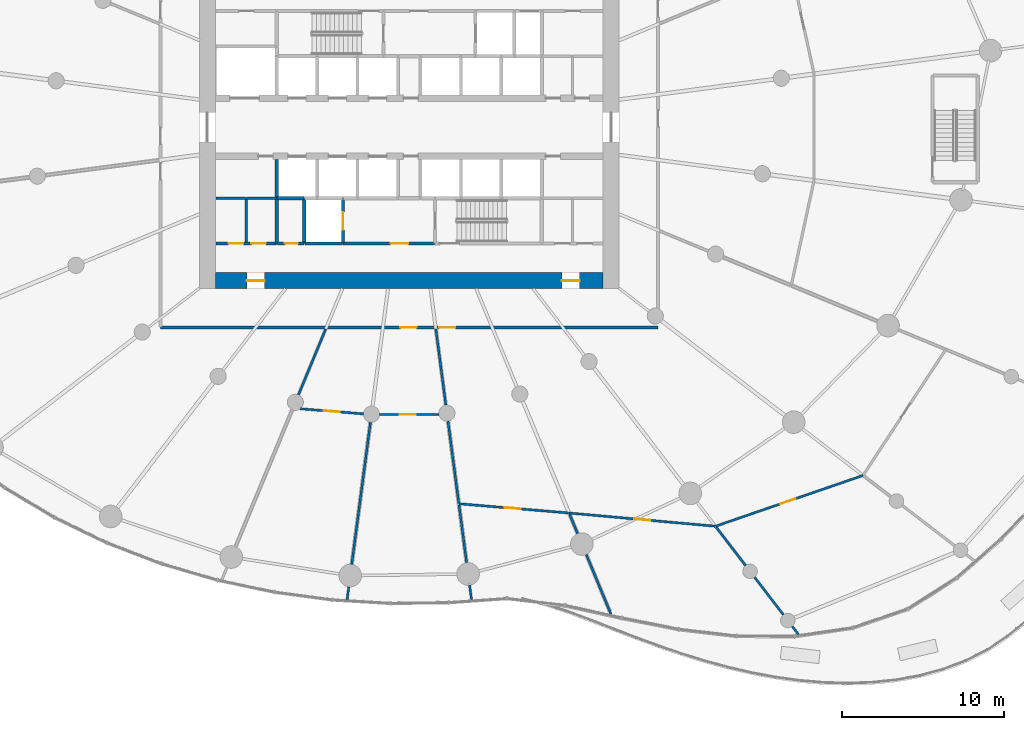
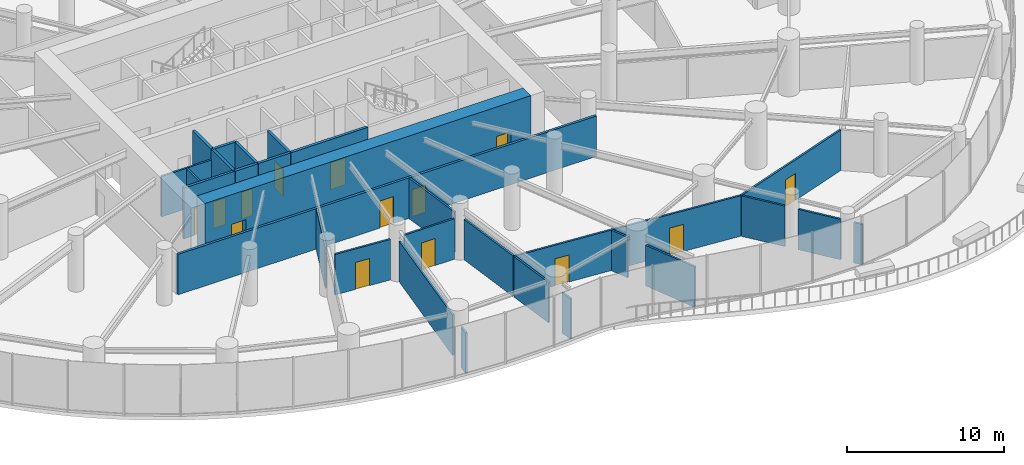
# One storey, part 12 of 21: 31 walls, 14 doors, 14 openings.
"""IFC4 building model written with IfcOpenShell, lengths in metres."""

from ifc_helpers import new_model, si_unit, direction, frame, frame_2d, origin, place, context, subcontext, project, spatial, rectangle, extrude, source, transform, mapped, material, layer, layer_set, type_object, element, fill, save


model = new_model("IFC4")

# Units and contexts
model_context = context("Model", 3, precision=1e-05, world=origin(), true_north=direction((0.0, 1.0)))
body_context = subcontext(model_context, "Body", "Model", "MODEL_VIEW")
ifc_project = project(units=[si_unit("LENGTHUNIT", "METRE"), si_unit("AREAUNIT", "SQUARE_METRE"), si_unit("VOLUMEUNIT", "CUBIC_METRE"), si_unit("PLANEANGLEUNIT", "RADIAN"), si_unit("MASSUNIT", "GRAM", prefix="KILO")], contexts=[model_context])

# Site, building, storey
site_placement = place(None, origin())
site = spatial("IfcSite", under=ifc_project, at=site_placement, CompositionType="ELEMENT")
building_placement = place(site_placement, origin())
building = spatial("IfcBuilding", under=site, at=building_placement, Name="Spindrift Exchange Tower", CompositionType="ELEMENT")
storey_placement = place(building_placement, frame((0.0, 0.0, 9.39990234375)))
storey = spatial("IfcBuildingStorey", under=building, at=storey_placement, Name="L02", CompositionType="ELEMENT", Elevation=9.39990234375)

# Wall, openings, doors
ifc_material_1 = material(Name="Concrete 80 MPa", Category="concrete")
ifc_layer_1 = layer(ifc_material_1, 1.0)
ifc_layer_set_1 = layer_set([ifc_layer_1], Name="RC Core Wall 1000 Concrete 80 MPa")
wall_type_1 = type_object("IfcWallType", Name="RC Core Wall 1000 Concrete 80 MPa", PredefinedType="SHEAR", material=ifc_layer_set_1)
wall_1_placement = place(storey_placement, frame((40.0, 38.5, 0.0), z_axis=(0.0, 0.0, 1.0), x_axis=(1.0, 0.0, 0.0)))
wall_1 = element("IfcWall", 1, at=wall_1_placement, inside=storey, type_object=wall_type_1, Name="Core wall S L02", PredefinedType="SHEAR", context=body_context, shape_type="SweptSolid", body=[
    extrude(rectangle(XDim=24.0, YDim=1.0, at=frame_2d((12.0, 0.0))), origin(), (0.0, 0.0, 1.0), 4.400146484375),
])
opening_1_placement = place(wall_1_placement, frame((21.449951171875, 0.0, 0.0)))
opening_1 = element("IfcOpeningElement", 2, at=opening_1_placement, cuts=wall_1, Name="Opening L02-D22", PredefinedType="OPENING", context=body_context, shape_type="SweptSolid", body=[
    extrude(rectangle(XDim=1.10009765625, YDim=2.10009765625, at=frame_2d((0.550048828125, 1.050048828125))), frame((0.0, 0.510009765625, 0.0), z_axis=(0.0, -1.0, 0.0), x_axis=(1.0, 0.0, 0.0)), (0.0, 0.0, 1.0), 1.02001953125),
])
opening_2_placement = place(wall_1_placement, frame((1.949951171875, 0.0, 0.0)))
opening_2 = element("IfcOpeningElement", 3, at=opening_2_placement, cuts=wall_1, Name="Opening L02-D23", PredefinedType="OPENING", context=body_context, shape_type="SweptSolid", body=[
    extrude(rectangle(XDim=1.10009765625, YDim=2.10009765625, at=frame_2d((0.550048828125, 1.050048828125))), frame((0.0, 0.510009765625, 0.0), z_axis=(0.0, -1.0, 0.0), x_axis=(1.0, 0.0, 0.0)), (0.0, 0.0, 1.0), 1.02001953125),
])
ifc_material_2 = material(Name="Steel fire door", Category="steel")
door_type_1 = type_object("IfcDoorType", Name="DR-STAIR-1100", OperationType="NOTDEFINED", PredefinedType="DOOR", material=ifc_material_2)
shared_shape_1 = source(origin(), body_context, "Body", "SweptSolid", [
    extrude(rectangle(XDim=1.10009765625, YDim=2.10009765625, at=frame_2d((0.550048828125, 1.050048828125))), frame((0.0, 0.02490234375, 0.0), z_axis=(0.0, -1.0, 0.0), x_axis=(1.0, 0.0, 0.0)), (0.0, 0.0, 1.0), 0.050048828125),
])
door_1_placement = place(opening_1_placement, origin())
door_1 = element("IfcDoor", 4, at=door_1_placement, inside=storey, type_object=door_type_1, Name="L02 Stair door 22", OperationType="SINGLE_SWING_RIGHT", OverallHeight=2.10009765625, OverallWidth=1.10009765625, PredefinedType="DOOR", context=body_context, shape_type="MappedRepresentation", body=[
    mapped(shared_shape_1, transform((0.0, 0.0, 0.0), scale=1.0)),
])
fill(opening_1, door_1)
door_2_placement = place(opening_2_placement, origin())
door_2 = element("IfcDoor", 5, at=door_2_placement, inside=storey, type_object=door_type_1, Name="L02 Stair door 23", OperationType="SINGLE_SWING_LEFT", OverallHeight=2.10009765625, OverallWidth=1.10009765625, PredefinedType="DOOR", context=body_context, shape_type="MappedRepresentation", body=[
    mapped(shared_shape_1, transform((0.0, 0.0, 0.0), scale=1.0)),
])
fill(opening_2, door_2)

ifc_material_3 = material(Name="Fire-rated plasterboard partition", Category="gypsum")
ifc_layer_2 = layer(ifc_material_3, 0.179931640625)
ifc_layer_set_2 = layer_set([ifc_layer_2], Name="W-CORR-180")
wall_type_2 = type_object("IfcWallType", Name="W-CORR-180", PredefinedType="PARTITIONING", material=ifc_layer_set_2)
wall_2_placement = place(storey_placement, frame((40.02001953125, 40.800048828125, 0.0), z_axis=(0.0, 0.0, 1.0), x_axis=(1.0, 0.0, 0.0)))
wall_2 = element("IfcWall", 6, at=wall_2_placement, inside=storey, type_object=wall_type_2, Name="L02 Partition wall 65", PredefinedType="PARTITIONING", context=body_context, shape_type="SweptSolid", body=[
    extrude(rectangle(XDim=3.75, YDim=0.179931640625, at=frame_2d((1.875, 0.0))), origin(), (0.0, 0.0, 1.0), 3.9501953125),
])
opening_3_placement = place(wall_2_placement, frame((0.800048828125, 0.0, 0.0)))
opening_3 = element("IfcOpeningElement", 7, at=opening_3_placement, cuts=wall_2, Name="Opening L02-D46", PredefinedType="OPENING", context=body_context, shape_type="SweptSolid", body=[
    extrude(rectangle(XDim=0.89990234375, YDim=2.10009765625, at=frame_2d((0.449951171875, 1.050048828125))), frame((0.0, 0.099853515625, 0.0), z_axis=(0.0, -1.0, 0.0), x_axis=(1.0, 0.0, 0.0)), (0.0, 0.0, 1.0), 0.199951171875),
])
opening_4_placement = place(wall_2_placement, frame((2.199951171875, 0.0, 0.0)))
opening_4 = element("IfcOpeningElement", 8, at=opening_4_placement, cuts=wall_2, Name="Opening L02-D47", PredefinedType="OPENING", context=body_context, shape_type="SweptSolid", body=[
    extrude(rectangle(XDim=0.89990234375, YDim=2.10009765625, at=frame_2d((0.449951171875, 1.050048828125))), frame((0.0, 0.099853515625, 0.0), z_axis=(0.0, -1.0, 0.0), x_axis=(1.0, 0.0, 0.0)), (0.0, 0.0, 1.0), 0.199951171875),
])
ifc_material_4 = material(Name="Steel access door", Category="steel")
door_type_2 = type_object("IfcDoorType", Name="DR-RISER-900", OperationType="NOTDEFINED", PredefinedType="DOOR", material=ifc_material_4)
shared_shape_2 = source(origin(), body_context, "Body", "SweptSolid", [
    extrude(rectangle(XDim=0.89990234375, YDim=2.10009765625, at=frame_2d((0.449951171875, 1.050048828125))), frame((0.0, 0.02490234375, 0.0), z_axis=(0.0, -1.0, 0.0), x_axis=(1.0, 0.0, 0.0)), (0.0, 0.0, 1.0), 0.050048828125),
])
door_3_placement = place(opening_3_placement, origin())
door_3 = element("IfcDoor", 9, at=door_3_placement, inside=storey, type_object=door_type_2, Name="L02 Riser door 46", OperationType="SINGLE_SWING_RIGHT", OverallHeight=2.10009765625, OverallWidth=0.89990234375, PredefinedType="DOOR", context=body_context, shape_type="MappedRepresentation", body=[
    mapped(shared_shape_2, transform((0.0, 0.0, 0.0), scale=1.0)),
])
fill(opening_3, door_3)
door_4_placement = place(opening_4_placement, origin())
door_4 = element("IfcDoor", 10, at=door_4_placement, inside=storey, type_object=door_type_2, Name="L02 Riser door 47", OperationType="SINGLE_SWING_LEFT", OverallHeight=2.10009765625, OverallWidth=0.89990234375, PredefinedType="DOOR", context=body_context, shape_type="MappedRepresentation", body=[
    mapped(shared_shape_2, transform((0.0, 0.0, 0.0), scale=1.0)),
])
fill(opening_4, door_4)

# Wall
ifc_layer_3 = layer(ifc_material_3, 0.139892578125)
ifc_layer_set_3 = layer_set([ifc_layer_3], Name="W-PART-140")
wall_type_3 = type_object("IfcWallType", Name="W-PART-140", PredefinedType="PARTITIONING", material=ifc_layer_set_3)
wall_3_placement = place(storey_placement, frame((62.960205078125, 21.5400390625, 0.0), z_axis=(0.0, 0.0, 1.0), x_axis=(0.382661550363, -0.92388859603, 0.0)))
element("IfcWall", 11, at=wall_3_placement, inside=storey, type_object=wall_type_3, Name="L02 Partition wall 100", PredefinedType="PARTITIONING", context=body_context, shape_type="SweptSolid", body=[
    extrude(rectangle(XDim=3.9677734375, YDim=0.139892578125, at=frame_2d((1.98388671875, 0.0))), origin(), (0.0, 0.0, 1.0), 3.150146484375),
])

# Wall, opening, door
wall_4_placement = place(storey_placement, frame((49.15673828125, 30.251953125, 0.0), z_axis=(0.0, 0.0, 1.0), x_axis=(-0.996710154567, 0.081048552007, 0.0)))
wall_4 = element("IfcWall", 12, at=wall_4_placement, inside=storey, type_object=wall_type_3, Name="L02 Partition wall 102", PredefinedType="PARTITIONING", context=body_context, shape_type="SweptSolid", body=[
    extrude(rectangle(XDim=3.916015625, YDim=0.139892578125, at=frame_2d((1.9580078125, 0.0))), origin(), (0.0, 0.0, 1.0), 3.150146484375),
])
opening_5_placement = place(wall_4_placement, frame((1.466064453125, 0.0, 0.0)))
opening_5 = element("IfcOpeningElement", 13, at=opening_5_placement, cuts=wall_4, Name="Opening L02-D37", PredefinedType="OPENING", context=body_context, shape_type="SweptSolid", body=[
    extrude(rectangle(XDim=1.0, YDim=2.10009765625, at=frame_2d((0.5, 1.050048828125))), frame((0.0, 0.079833984375, 0.0), z_axis=(0.0, -1.0, 0.0), x_axis=(1.0, 0.0, 0.0)), (0.0, 0.0, 1.0), 0.159912109375),
])
ifc_material_5 = material(Name="Timber-core fire door", Category="wood")
door_type_3 = type_object("IfcDoorType", Name="DR-ROOM-1000", OperationType="NOTDEFINED", PredefinedType="DOOR", material=ifc_material_5)
shared_shape_3 = source(origin(), body_context, "Body", "SweptSolid", [
    extrude(rectangle(XDim=1.0, YDim=2.10009765625, at=frame_2d((0.5, 1.050048828125))), frame((0.0, 0.02490234375, 0.0), z_axis=(0.0, -1.0, 0.0), x_axis=(1.0, 0.0, 0.0)), (0.0, 0.0, 1.0), 0.050048828125),
])
door_5_placement = place(opening_5_placement, origin())
door_5 = element("IfcDoor", 14, at=door_5_placement, inside=storey, type_object=door_type_3, Name="L02 Door 37", OperationType="SINGLE_SWING_LEFT", OverallHeight=2.10009765625, OverallWidth=1.0, PredefinedType="DOOR", context=body_context, shape_type="MappedRepresentation", body=[
    mapped(shared_shape_3, transform((0.0, 0.0, 0.0), scale=1.0)),
])
fill(opening_5, door_5)

# Walls
wall_5_placement = place(storey_placement, frame((41.89990234375, 40.889892578125, 0.0), z_axis=(0.0, 0.0, 1.0), x_axis=(0.0, 1.0, 0.0)))
element("IfcWall", 15, at=wall_5_placement, inside=storey, type_object=wall_type_3, Name="L02 Partition wall 113", PredefinedType="PARTITIONING", context=body_context, shape_type="SweptSolid", body=[
    extrude(rectangle(XDim=2.710205078125, YDim=0.139892578125, at=frame_2d((1.35498046875, 0.0))), origin(), (0.0, 0.0, 1.0), 3.150146484375),
])
wall_6_placement = place(storey_placement, frame((43.77001953125, 43.60009765625, 0.0), z_axis=(0.0, 0.0, 1.0), x_axis=(-1.0, 0.0, 0.0)))
element("IfcWall", 16, at=wall_6_placement, inside=storey, type_object=wall_type_3, Name="L02 Partition wall 122", PredefinedType="PARTITIONING", context=body_context, shape_type="SweptSolid", body=[
    extrude(rectangle(XDim=1.840087890625, YDim=0.139892578125, at=frame_2d((0.919921875, 0.0))), origin(), (0.0, 0.0, 1.0), 3.150146484375),
])
wall_7_placement = place(storey_placement, frame((41.8701171875, 43.60009765625, 0.0), z_axis=(0.0, 0.0, 1.0), x_axis=(-1.0, 0.0, 0.0)))
element("IfcWall", 17, at=wall_7_placement, inside=storey, type_object=wall_type_3, Name="L02 Partition wall 125", PredefinedType="PARTITIONING", context=body_context, shape_type="SweptSolid", body=[
    extrude(rectangle(XDim=1.85009765625, YDim=0.139892578125, at=frame_2d((0.925048828125, 0.0))), origin(), (0.0, 0.0, 1.0), 3.150146484375),
])
wall_8_placement = place(storey_placement, frame((61.92431640625, 24.040771484375, 0.0), z_axis=(0.0, 0.0, 1.0), x_axis=(0.382595690084, -0.923915871673, 0.0)))
element("IfcWall", 18, at=wall_8_placement, inside=storey, type_object=wall_type_3, Name="L02 Partition wall 128", PredefinedType="PARTITIONING", context=body_context, shape_type="SweptSolid", body=[
    extrude(rectangle(XDim=1.296630859375, YDim=0.139892578125, at=frame_2d((0.6484375, 0.0))), origin(), (0.0, 0.0, 1.0), 3.150146484375),
])

# Wall, opening, door
ifc_layer_4 = layer(ifc_material_3, 0.139892578125)
ifc_layer_set_4 = layer_set([ifc_layer_4], Name="W-PLANT-140")
wall_type_4 = type_object("IfcWallType", Name="W-PLANT-140", PredefinedType="PARTITIONING", material=ifc_layer_set_4)
wall_9_placement = place(storey_placement, frame((80.096923828125, 26.4404296875, 0.0), z_axis=(0.0, 0.0, 1.0), x_axis=(-0.945541154245, -0.325502573922, 0.0)))
wall_9 = element("IfcWall", 19, at=wall_9_placement, inside=storey, type_object=wall_type_4, Name="L02 Partition wall 72", PredefinedType="PARTITIONING", context=body_context, shape_type="SweptSolid", body=[
    extrude(rectangle(XDim=9.665771484375, YDim=0.139892578125, at=frame_2d((4.8330078125, 0.0))), origin(), (0.0, 0.0, 1.0), 3.150146484375),
])
opening_6_placement = place(wall_9_placement, frame((4.416015625, 0.0, 0.0)))
opening_6 = element("IfcOpeningElement", 20, at=opening_6_placement, cuts=wall_9, Name="Opening L02-D42", PredefinedType="OPENING", context=body_context, shape_type="SweptSolid", body=[
    extrude(rectangle(XDim=1.0, YDim=2.10009765625, at=frame_2d((0.5, 1.050048828125))), frame((0.0, 0.079833984375, 0.0), z_axis=(0.0, -1.0, 0.0), x_axis=(1.0, 0.0, 0.0)), (0.0, 0.0, 1.0), 0.159912109375),
])
door_6_placement = place(opening_6_placement, origin())
door_6 = element("IfcDoor", 21, at=door_6_placement, inside=storey, type_object=door_type_3, Name="L02 Door 42", OperationType="SINGLE_SWING_RIGHT", OverallHeight=2.10009765625, OverallWidth=1.0, PredefinedType="DOOR", context=body_context, shape_type="MappedRepresentation", body=[
    mapped(shared_shape_3, transform((0.0, 0.0, 0.0), scale=1.0)),
])
fill(opening_6, door_6)

wall_10_placement = place(storey_placement, frame((70.927490234375, 23.297119140625, 0.0), z_axis=(0.0, 0.0, 1.0), x_axis=(-0.995938530205, 0.090035793182, 0.0)))
wall_10 = element("IfcWall", 22, at=wall_10_placement, inside=storey, type_object=wall_type_4, Name="L02 Partition wall 75", PredefinedType="PARTITIONING", context=body_context, shape_type="SweptSolid", body=[
    extrude(rectangle(XDim=9.0703125, YDim=0.139892578125, at=frame_2d((4.53515625, 0.0))), origin(), (0.0, 0.0, 1.0), 3.150146484375),
])
opening_7_placement = place(wall_10_placement, frame((4.0205078125, 0.0, 0.0)))
opening_7 = element("IfcOpeningElement", 23, at=opening_7_placement, cuts=wall_10, Name="Opening L02-D41", PredefinedType="OPENING", context=body_context, shape_type="SweptSolid", body=[
    extrude(rectangle(XDim=1.0, YDim=2.10009765625, at=frame_2d((0.5, 1.050048828125))), frame((0.0, 0.079833984375, 0.0), z_axis=(0.0, -1.0, 0.0), x_axis=(1.0, 0.0, 0.0)), (0.0, 0.0, 1.0), 0.159912109375),
])
door_7_placement = place(opening_7_placement, origin())
door_7 = element("IfcDoor", 24, at=door_7_placement, inside=storey, type_object=door_type_3, Name="L02 Door 41", OperationType="SINGLE_SWING_LEFT", OverallHeight=2.10009765625, OverallWidth=1.0, PredefinedType="DOOR", context=body_context, shape_type="MappedRepresentation", body=[
    mapped(shared_shape_3, transform((0.0, 0.0, 0.0), scale=1.0)),
])
fill(opening_7, door_7)

# Wall
wall_11_placement = place(storey_placement, frame((49.594970703125, 29.732666015625, 0.0), z_axis=(0.0, 0.0, 1.0), x_axis=(-0.130521426482, -0.991445488783, 0.0)))
element("IfcWall", 25, at=wall_11_placement, inside=storey, type_object=wall_type_4, Name="L02 Partition wall 77", PredefinedType="PARTITIONING", context=body_context, shape_type="SweptSolid", body=[
    extrude(rectangle(XDim=8.871826171875, YDim=0.139892578125, at=frame_2d((4.43603515625, 0.0))), origin(), (0.0, 0.0, 1.0), 3.150146484375),
])

# Wall, opening, door
wall_12_placement = place(storey_placement, frame((61.864013671875, 24.1162109375, 0.0), z_axis=(0.0, 0.0, 1.0), x_axis=(-0.996481261198, 0.083815846237, 0.0)))
wall_12 = element("IfcWall", 26, at=wall_12_placement, inside=storey, type_object=wall_type_4, Name="L02 Partition wall 83", PredefinedType="PARTITIONING", context=body_context, shape_type="SweptSolid", body=[
    extrude(rectangle(XDim=6.81884765625, YDim=0.139892578125, at=frame_2d((3.409423828125, 0.0))), origin(), (0.0, 0.0, 1.0), 3.150146484375),
])
opening_8_placement = place(wall_12_placement, frame((2.968994140625, 0.0, 0.0)))
opening_8 = element("IfcOpeningElement", 27, at=opening_8_placement, cuts=wall_12, Name="Opening L02-D40", PredefinedType="OPENING", context=body_context, shape_type="SweptSolid", body=[
    extrude(rectangle(XDim=1.0, YDim=2.10009765625, at=frame_2d((0.5, 1.050048828125))), frame((0.0, 0.079833984375, 0.0), z_axis=(0.0, -1.0, 0.0), x_axis=(1.0, 0.0, 0.0)), (0.0, 0.0, 1.0), 0.159912109375),
])
door_8_placement = place(opening_8_placement, origin())
door_8 = element("IfcDoor", 28, at=door_8_placement, inside=storey, type_object=door_type_3, Name="L02 Door 40", OperationType="SINGLE_SWING_RIGHT", OverallHeight=2.10009765625, OverallWidth=1.0, PredefinedType="DOOR", context=body_context, shape_type="MappedRepresentation", body=[
    mapped(shared_shape_3, transform((0.0, 0.0, 0.0), scale=1.0)),
])
fill(opening_8, door_8)

# Walls
wall_13_placement = place(storey_placement, frame((54.396484375, 29.796630859375, 0.0), z_axis=(0.0, 0.0, 1.0), x_axis=(0.130530944133, -0.991444235761, 0.0)))
element("IfcWall", 29, at=wall_13_placement, inside=storey, type_object=wall_type_4, Name="L02 Partition wall 90", PredefinedType="PARTITIONING", context=body_context, shape_type="SweptSolid", body=[
    extrude(rectangle(XDim=5.123046875, YDim=0.139892578125, at=frame_2d((2.5615234375, 0.0))), origin(), (0.0, 0.0, 1.0), 3.150146484375),
])
wall_14_placement = place(storey_placement, frame((53.644287109375, 35.510009765625, 0.0), z_axis=(0.0, 0.0, 1.0), x_axis=(0.130548834981, -0.991441880135, 0.0)))
element("IfcWall", 30, at=wall_14_placement, inside=storey, type_object=wall_type_4, Name="L02 Partition wall 93", PredefinedType="PARTITIONING", context=body_context, shape_type="SweptSolid", body=[
    extrude(rectangle(XDim=4.75390625, YDim=0.139892578125, at=frame_2d((2.376953125, 0.0))), origin(), (0.0, 0.0, 1.0), 3.150146484375),
])
wall_15_placement = place(storey_placement, frame((46.826416015625, 35.510009765625, 0.0), z_axis=(0.0, 0.0, 1.0), x_axis=(-0.382672831764, -0.923883923353, 0.0)))
element("IfcWall", 31, at=wall_15_placement, inside=storey, type_object=wall_type_4, Name="L02 Partition wall 95", PredefinedType="PARTITIONING", context=body_context, shape_type="SweptSolid", body=[
    extrude(rectangle(XDim=4.410400390625, YDim=0.139892578125, at=frame_2d((2.205078125, 0.0))), origin(), (0.0, 0.0, 1.0), 3.150146484375),
])
wall_16_placement = place(storey_placement, frame((55.07861328125, 24.61669921875, 0.0), z_axis=(0.0, 0.0, 1.0), x_axis=(0.130498239391, -0.991448541033, 0.0)))
element("IfcWall", 32, at=wall_16_placement, inside=storey, type_object=wall_type_4, Name="L02 Partition wall 103", PredefinedType="PARTITIONING", context=body_context, shape_type="SweptSolid", body=[
    extrude(rectangle(XDim=3.610595703125, YDim=0.139892578125, at=frame_2d((1.80517578125, 0.0))), origin(), (0.0, 0.0, 1.0), 3.150146484375),
])

# Wall, opening, door
wall_17_placement = place(storey_placement, frame((53.83349609375, 30.211181640625, 0.0), z_axis=(0.0, 0.0, 1.0), x_axis=(-1.0, 0.0, 0.0)))
wall_17 = element("IfcWall", 33, at=wall_17_placement, inside=storey, type_object=wall_type_4, Name="L02 Partition wall 104", PredefinedType="PARTITIONING", context=body_context, shape_type="SweptSolid", body=[
    extrude(rectangle(XDim=3.668701171875, YDim=0.139892578125, at=frame_2d((1.83447265625, 0.0))), origin(), (0.0, 0.0, 1.0), 3.150146484375),
])
opening_9_placement = place(wall_17_placement, frame((1.418701171875, 0.0, 0.0)))
opening_9 = element("IfcOpeningElement", 34, at=opening_9_placement, cuts=wall_17, Name="Opening L02-D38", PredefinedType="OPENING", context=body_context, shape_type="SweptSolid", body=[
    extrude(rectangle(XDim=1.0, YDim=2.10009765625, at=frame_2d((0.5, 1.050048828125))), frame((0.0, 0.079833984375, 0.0), z_axis=(0.0, -1.0, 0.0), x_axis=(1.0, 0.0, 0.0)), (0.0, 0.0, 1.0), 0.159912109375),
])
door_9_placement = place(opening_9_placement, origin())
door_9 = element("IfcDoor", 35, at=door_9_placement, inside=storey, type_object=door_type_3, Name="L02 Door 38", OperationType="SINGLE_SWING_RIGHT", OverallHeight=2.10009765625, OverallWidth=1.0, PredefinedType="DOOR", context=body_context, shape_type="MappedRepresentation", body=[
    mapped(shared_shape_3, transform((0.0, 0.0, 0.0), scale=1.0)),
])
fill(opening_9, door_9)

# Walls
wall_18_placement = place(storey_placement, frame((71.002197265625, 23.235595703125, 0.0), z_axis=(0.0, 0.0, 1.0), x_axis=(0.608806836057, -0.793318496173, 0.0)))
element("IfcWall", 36, at=wall_18_placement, inside=storey, type_object=wall_type_4, Name="L02 Partition wall 110", PredefinedType="PARTITIONING", context=body_context, shape_type="SweptSolid", body=[
    extrude(rectangle(XDim=2.990478515625, YDim=0.139892578125, at=frame_2d((1.4951171875, 0.0))), origin(), (0.0, 0.0, 1.0), 3.150146484375),
])
wall_19_placement = place(storey_placement, frame((73.376220703125, 20.14208984375, 0.0), z_axis=(0.0, 0.0, 1.0), x_axis=(0.608763898154, -0.793351445643, 0.0)))
element("IfcWall", 37, at=wall_19_placement, inside=storey, type_object=wall_type_4, Name="L02 Partition wall 111", PredefinedType="PARTITIONING", context=body_context, shape_type="SweptSolid", body=[
    extrude(rectangle(XDim=2.9296875, YDim=0.139892578125, at=frame_2d((1.46484375, 0.0))), origin(), (0.0, 0.0, 1.0), 3.150146484375),
])
wall_20_placement = place(storey_placement, frame((55.733642578125, 19.640380859375, 0.0), z_axis=(0.0, 0.0, 1.0), x_axis=(0.13059675412, -0.991435569169, 0.0)))
element("IfcWall", 38, at=wall_20_placement, inside=storey, type_object=wall_type_4, Name="L02 Partition wall 130", PredefinedType="PARTITIONING", context=body_context, shape_type="SweptSolid", body=[
    extrude(rectangle(XDim=0.887939453125, YDim=0.139892578125, at=frame_2d((0.44384765625, 0.0))), origin(), (0.0, 0.0, 1.0), 3.150146484375),
])
wall_21_placement = place(storey_placement, frame((48.253173828125, 19.540283203125, 0.0), z_axis=(0.0, 0.0, 1.0), x_axis=(-0.130598952658, -0.991435279564, 0.0)))
element("IfcWall", 39, at=wall_21_placement, inside=storey, type_object=wall_type_4, Name="L02 Partition wall 133", PredefinedType="PARTITIONING", context=body_context, shape_type="SweptSolid", body=[
    extrude(rectangle(XDim=0.787109375, YDim=0.139892578125, at=frame_2d((0.3935546875, 0.0))), origin(), (0.0, 0.0, 1.0), 3.150146484375),
])
wall_22_placement = place(storey_placement, frame((75.712890625, 17.0966796875, 0.0), z_axis=(0.0, 0.0, 1.0), x_axis=(0.608865317956, -0.79327361269, 0.0)))
element("IfcWall", 40, at=wall_22_placement, inside=storey, type_object=wall_type_4, Name="L02 Partition wall 138", PredefinedType="PARTITIONING", context=body_context, shape_type="SweptSolid", body=[
    extrude(rectangle(XDim=0.6142578125, YDim=0.139892578125, at=frame_2d((0.30712890625, 0.0))), origin(), (0.0, 0.0, 1.0), 3.150146484375),
])

# Wall, openings, doors
ifc_layer_5 = layer(ifc_material_3, 0.179931640625)
ifc_layer_set_5 = layer_set([ifc_layer_5], Name="W-PLANT-180")
wall_type_5 = type_object("IfcWallType", Name="W-PLANT-180", PredefinedType="PARTITIONING", material=ifc_layer_set_5)
wall_23_placement = place(storey_placement, frame((67.39990234375, 35.60009765625, 0.0), z_axis=(0.0, 0.0, 1.0), x_axis=(-1.0, 0.0, 0.0)))
wall_23 = element("IfcWall", 41, at=wall_23_placement, inside=storey, type_object=wall_type_5, Name="L02 Partition wall 61", PredefinedType="PARTITIONING", context=body_context, shape_type="SweptSolid", body=[
    extrude(rectangle(XDim=30.7998046875, YDim=0.179931640625, at=frame_2d((15.39990234375, 0.0))), origin(), (0.0, 0.0, 1.0), 3.150146484375),
])
opening_10_placement = place(wall_23_placement, frame((14.949951171875, 0.0, 0.0)))
opening_10 = element("IfcOpeningElement", 42, at=opening_10_placement, cuts=wall_23, Name="Opening L02-D36", PredefinedType="OPENING", context=body_context, shape_type="SweptSolid", body=[
    extrude(rectangle(XDim=1.0, YDim=2.10009765625, at=frame_2d((0.5, 1.050048828125))), frame((0.0, 0.099853515625, 0.0), z_axis=(0.0, -1.0, 0.0), x_axis=(1.0, 0.0, 0.0)), (0.0, 0.0, 1.0), 0.199951171875),
])
opening_11_placement = place(wall_23_placement, frame((12.550048828125, 0.0, 0.0)))
opening_11 = element("IfcOpeningElement", 43, at=opening_11_placement, cuts=wall_23, Name="Opening L02-D39", PredefinedType="OPENING", context=body_context, shape_type="SweptSolid", body=[
    extrude(rectangle(XDim=1.0, YDim=2.10009765625, at=frame_2d((0.5, 1.050048828125))), frame((0.0, 0.099853515625, 0.0), z_axis=(0.0, -1.0, 0.0), x_axis=(1.0, 0.0, 0.0)), (0.0, 0.0, 1.0), 0.199951171875),
])
door_10_placement = place(opening_10_placement, origin())
door_10 = element("IfcDoor", 44, at=door_10_placement, inside=storey, type_object=door_type_3, Name="L02 Door 36", OperationType="SINGLE_SWING_RIGHT", OverallHeight=2.10009765625, OverallWidth=1.0, PredefinedType="DOOR", context=body_context, shape_type="MappedRepresentation", body=[
    mapped(shared_shape_3, transform((0.0, 0.0, 0.0), scale=1.0)),
])
fill(opening_10, door_10)
door_11_placement = place(opening_11_placement, origin())
door_11 = element("IfcDoor", 45, at=door_11_placement, inside=storey, type_object=door_type_3, Name="L02 Door 39", OperationType="SINGLE_SWING_LEFT", OverallHeight=2.10009765625, OverallWidth=1.0, PredefinedType="DOOR", context=body_context, shape_type="MappedRepresentation", body=[
    mapped(shared_shape_3, transform((0.0, 0.0, 0.0), scale=1.0)),
])
fill(opening_11, door_11)

# Walls
ifc_material_6 = material(Name="Concrete 40 MPa", Category="concrete")
ifc_layer_6 = layer(ifc_material_6, 0.199951171875)
ifc_layer_set_6 = layer_set([ifc_layer_6], Name="W-SHAFT-200")
wall_type_6 = type_object("IfcWallType", Name="W-SHAFT-200", PredefinedType="SOLIDWALL", material=ifc_layer_set_6)
for number, where, z_axis, x_axis, name in (
    (46, (43.800048828125, 43.60009765625, 0.0), (0.0, 0.0, 1.0), (0.0, -1.0, 0.0), "L02 Shaft wall 8"),
    (47, (45.5, 43.60009765625, 0.0), (0.0, 0.0, 1.0), (0.0, -1.0, 0.0), "L02 Shaft wall 9"),
):
    element("IfcWall", number, at=place(storey_placement, frame(where, z_axis=z_axis, x_axis=x_axis)), inside=storey, type_object=wall_type_6, Name=name, PredefinedType="SOLIDWALL", context=body_context, shape_type="SweptSolid", body=[
        extrude(rectangle(XDim=2.800048828125, YDim=0.199951171875, at=frame_2d((1.39990234375, 0.0))), origin(), (0.0, 0.0, 1.0), 3.9501953125),
    ])

# Wall, opening, door
wall_24_placement = place(storey_placement, frame((47.89990234375, 40.830078125, 0.0), z_axis=(0.0, 0.0, 1.0), x_axis=(0.0, 1.0, 0.0)))
wall_24 = element("IfcWall", 48, at=wall_24_placement, inside=storey, type_object=wall_type_6, Name="L02 Shaft wall 10", PredefinedType="SOLIDWALL", context=body_context, shape_type="SweptSolid", body=[
    extrude(rectangle(XDim=2.77001953125, YDim=0.199951171875, at=frame_2d((1.385009765625, 0.0))), origin(), (0.0, 0.0, 1.0), 3.9501953125),
])
opening_12_placement = place(wall_24_placement, frame((0.820068359375, 0.0, 0.0)))
opening_12 = element("IfcOpeningElement", 49, at=opening_12_placement, cuts=wall_24, Name="Opening L02-D10", PredefinedType="OPENING", context=body_context, shape_type="SweptSolid", body=[
    extrude(rectangle(XDim=1.10009765625, YDim=2.10009765625, at=frame_2d((0.550048828125, 1.050048828125))), frame((0.0, 0.10986328125, 0.0), z_axis=(0.0, -1.0, 0.0), x_axis=(1.0, 0.0, 0.0)), (0.0, 0.0, 1.0), 0.219970703125),
])
ifc_material_7 = material(Name="Stainless steel landing door", Category="steel")
door_type_4 = type_object("IfcDoorType", Name="DR-LANDING-1100-SL", OperationType="DOUBLE_DOOR_SLIDING", PredefinedType="USERDEFINED", material=ifc_material_7)
shared_shape_4 = source(origin(), body_context, "Body", "SweptSolid", [
    extrude(rectangle(XDim=1.10009765625, YDim=2.10009765625, at=frame_2d((0.550048828125, 1.050048828125))), frame((0.0, 0.02490234375, 0.0), z_axis=(0.0, -1.0, 0.0), x_axis=(1.0, 0.0, 0.0)), (0.0, 0.0, 1.0), 0.050048828125),
])
door_12_placement = place(opening_12_placement, origin())
door_12 = element("IfcDoor", 50, at=door_12_placement, inside=storey, type_object=door_type_4, Name="L02 Lift landing door 10", ObjectType="LANDING DOOR", OperationType="DOUBLE_DOOR_SLIDING", OverallHeight=2.10009765625, OverallWidth=1.10009765625, PredefinedType="USERDEFINED", context=body_context, shape_type="MappedRepresentation", body=[
    mapped(shared_shape_4, transform((0.0, 0.0, 0.0), scale=1.0)),
])
fill(opening_12, door_12)

# Walls
wall_25_placement = place(storey_placement, frame((45.530029296875, 40.800048828125, 0.0), z_axis=(0.0, 0.0, 1.0), x_axis=(1.0, 0.0, 0.0)))
element("IfcWall", 51, at=wall_25_placement, inside=storey, type_object=wall_type_6, Name="L02 Shaft wall 25", PredefinedType="SOLIDWALL", context=body_context, shape_type="SweptSolid", body=[
    extrude(rectangle(XDim=2.340087890625, YDim=0.199951171875, at=frame_2d((1.169921875, 0.0))), origin(), (0.0, 0.0, 1.0), 3.9501953125),
])
wall_26_placement = place(storey_placement, frame((43.800048828125, 45.989990234375, 0.0), z_axis=(0.0, 0.0, 1.0), x_axis=(0.0, -1.0, 0.0)))
element("IfcWall", 52, at=wall_26_placement, inside=storey, type_object=wall_type_6, Name="L02 Shaft wall 27", PredefinedType="SOLIDWALL", context=body_context, shape_type="SweptSolid", body=[
    extrude(rectangle(XDim=2.360107421875, YDim=0.199951171875, at=frame_2d((1.18017578125, 0.0))), origin(), (0.0, 0.0, 1.0), 3.9501953125),
])
wall_27_placement = place(storey_placement, frame((43.830078125, 43.60009765625, 0.0), z_axis=(0.0, 0.0, 1.0), x_axis=(1.0, 0.0, 0.0)))
element("IfcWall", 53, at=wall_27_placement, inside=storey, type_object=wall_type_6, Name="L02 Shaft wall 44", PredefinedType="SOLIDWALL", context=body_context, shape_type="SweptSolid", body=[
    extrude(rectangle(XDim=1.639892578125, YDim=0.199951171875, at=frame_2d((0.81982421875, 0.0))), origin(), (0.0, 0.0, 1.0), 3.9501953125),
])

# Wall, opening, door
wall_28_placement = place(storey_placement, frame((43.830078125, 40.800048828125, 0.0), z_axis=(0.0, 0.0, 1.0), x_axis=(1.0, 0.0, 0.0)))
wall_28 = element("IfcWall", 54, at=wall_28_placement, inside=storey, type_object=wall_type_6, Name="L02 Shaft wall 45", PredefinedType="SOLIDWALL", context=body_context, shape_type="SweptSolid", body=[
    extrude(rectangle(XDim=1.639892578125, YDim=0.199951171875, at=frame_2d((0.81982421875, 0.0))), origin(), (0.0, 0.0, 1.0), 3.9501953125),
])
opening_13_placement = place(wall_28_placement, frame((0.469970703125, 0.0, 0.0)))
opening_13 = element("IfcOpeningElement", 55, at=opening_13_placement, cuts=wall_28, Name="Opening L02-D19", PredefinedType="OPENING", context=body_context, shape_type="SweptSolid", body=[
    extrude(rectangle(XDim=0.800048828125, YDim=2.10009765625, at=frame_2d((0.39990234375, 1.050048828125))), frame((0.0, 0.10986328125, 0.0), z_axis=(0.0, -1.0, 0.0), x_axis=(1.0, 0.0, 0.0)), (0.0, 0.0, 1.0), 0.219970703125),
])
door_type_5 = type_object("IfcDoorType", Name="DR-RISER-800", OperationType="NOTDEFINED", PredefinedType="DOOR", material=ifc_material_4)
shared_shape_5 = source(origin(), body_context, "Body", "SweptSolid", [
    extrude(rectangle(XDim=0.800048828125, YDim=2.10009765625, at=frame_2d((0.39990234375, 1.050048828125))), frame((0.0, 0.02490234375, 0.0), z_axis=(0.0, -1.0, 0.0), x_axis=(1.0, 0.0, 0.0)), (0.0, 0.0, 1.0), 0.050048828125),
])
door_13_placement = place(opening_13_placement, origin())
door_13 = element("IfcDoor", 56, at=door_13_placement, inside=storey, type_object=door_type_5, Name="L02 Riser door 19", OperationType="SINGLE_SWING_LEFT", OverallHeight=2.10009765625, OverallWidth=0.800048828125, PredefinedType="DOOR", context=body_context, shape_type="MappedRepresentation", body=[
    mapped(shared_shape_5, transform((0.0, 0.0, 0.0), scale=1.0)),
])
fill(opening_13, door_13)

ifc_layer_7 = layer(ifc_material_6, 0.199951171875)
ifc_layer_set_7 = layer_set([ifc_layer_7], Name="W-SHAFT-200-LB")
wall_type_7 = type_object("IfcWallType", Name="W-SHAFT-200-LB", PredefinedType="SOLIDWALL", material=ifc_layer_set_7)
wall_29_placement = place(storey_placement, frame((47.89990234375, 40.800048828125, 0.0), z_axis=(0.0, 0.0, 1.0), x_axis=(1.0, 0.0, 0.0)))
wall_29 = element("IfcWall", 57, at=wall_29_placement, inside=storey, type_object=wall_type_7, Name="L02 Shaft wall 5", PredefinedType="SOLIDWALL", context=body_context, shape_type="SweptSolid", body=[
    extrude(rectangle(XDim=5.670166015625, YDim=0.199951171875, at=frame_2d((2.8349609375, 0.0))), origin(), (0.0, 0.0, 1.0), 3.9501953125),
])
opening_14_placement = place(wall_29_placement, frame((2.949951171875, 0.0, 0.0)))
opening_14 = element("IfcOpeningElement", 58, at=opening_14_placement, cuts=wall_29, Name="Opening L02-D18", PredefinedType="OPENING", context=body_context, shape_type="SweptSolid", body=[
    extrude(rectangle(XDim=1.10009765625, YDim=2.10009765625, at=frame_2d((0.550048828125, 1.050048828125))), frame((0.0, 0.10986328125, 0.0), z_axis=(0.0, -1.0, 0.0), x_axis=(1.0, 0.0, 0.0)), (0.0, 0.0, 1.0), 0.219970703125),
])
door_type_6 = type_object("IfcDoorType", Name="DR-LOBBY-1100", OperationType="NOTDEFINED", PredefinedType="DOOR", material=ifc_material_5)
shared_shape_6 = source(origin(), body_context, "Body", "SweptSolid", [
    extrude(rectangle(XDim=1.10009765625, YDim=2.10009765625, at=frame_2d((0.550048828125, 1.050048828125))), frame((0.0, 0.02490234375, 0.0), z_axis=(0.0, -1.0, 0.0), x_axis=(1.0, 0.0, 0.0)), (0.0, 0.0, 1.0), 0.050048828125),
])
door_14_placement = place(opening_14_placement, origin())
door_14 = element("IfcDoor", 59, at=door_14_placement, inside=storey, type_object=door_type_6, Name="L02 Lobby door 18", OperationType="SINGLE_SWING_RIGHT", OverallHeight=2.10009765625, OverallWidth=1.10009765625, PredefinedType="DOOR", context=body_context, shape_type="MappedRepresentation", body=[
    mapped(shared_shape_6, transform((0.0, 0.0, 0.0), scale=1.0)),
])
fill(opening_14, door_14)

save(model, "model.ifc")
